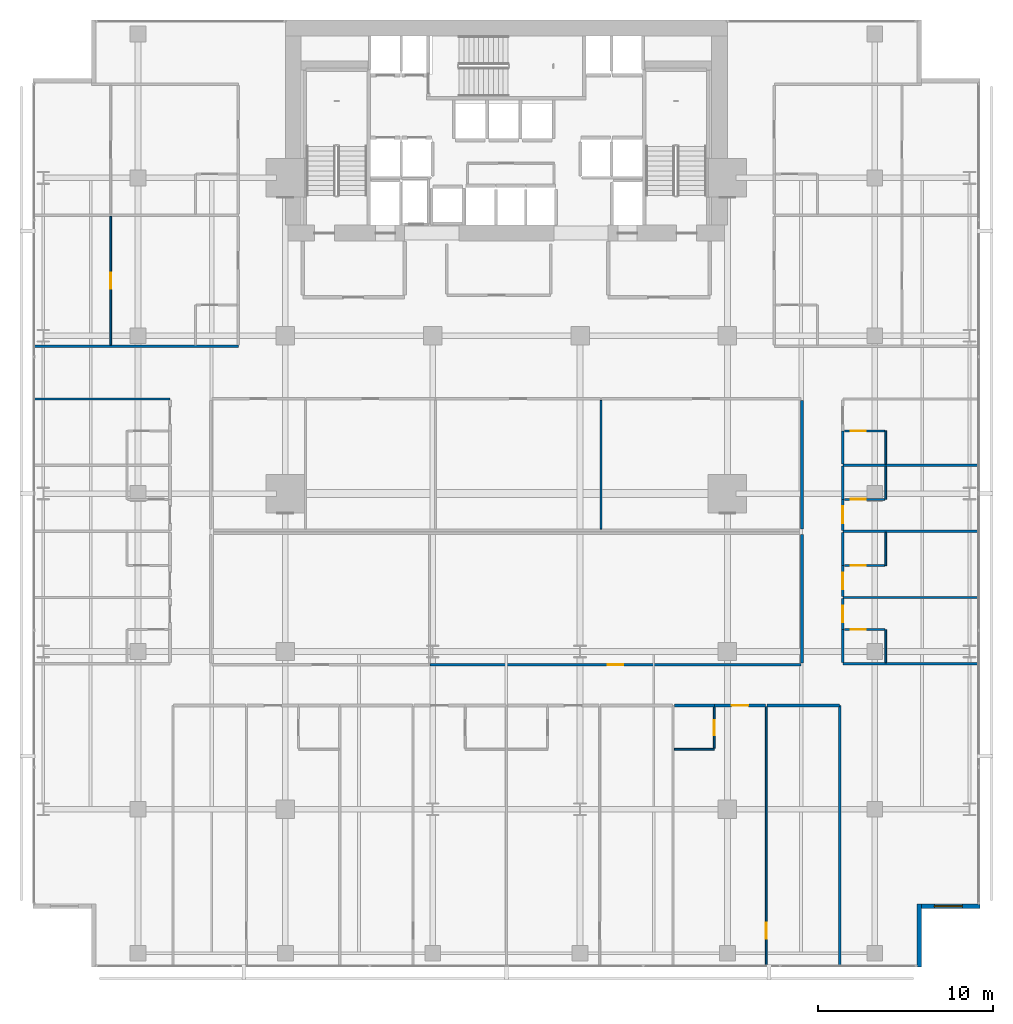
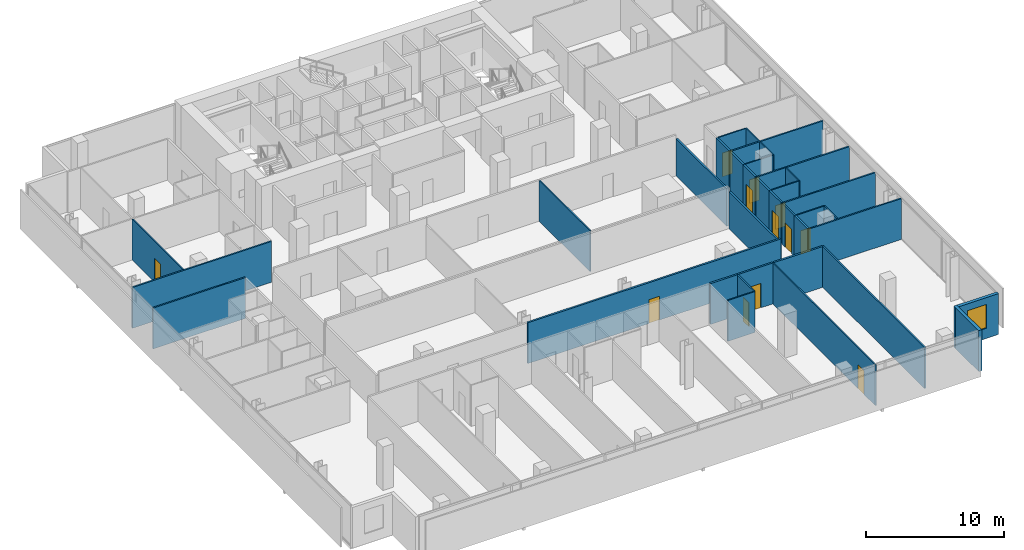
# One storey, part 34 of 40: 35 walls, 12 doors, 1 window, 13 openings.
"""IFC4 building model written with IfcOpenShell, lengths in metres."""

import ifcopenshell
import ifcopenshell.guid

model = None  # the IFC model being written
_history = None  # IfcOwnerHistory: only IFC2X3 demands one
_inside = {}  # id of a spatial element -> (the spatial element, [elements in it])
_under = {}  # id of a project, library or spatial element -> (it, [spatial elements below it])
_declared = {}  # id of a project -> (the project, [libraries it declares])
_typed = {}  # id of a type object -> (the type object, [elements of that type])
_made_of = {}  # id of a material, layer set ... -> (it, [elements and type objects made of it])


def new_model(schema):
    """Start an empty IFC model of exactly this schema.

    Asked for "IFC4X3", IfcOpenShell would pick the latest addendum, in which some entities
    have other attributes; the version numbers below select the first issue.
    IFC2X3 requires an IfcOwnerHistory on every rooted entity: one is made here for all.
    """
    global model, _history
    if schema == "IFC4X3":
        model = ifcopenshell.file(schema_version=(4, 3, 0, 0))
    else:
        model = ifcopenshell.file(schema=schema)
    _inside.clear()
    _under.clear()
    _declared.clear()
    _typed.clear()
    _made_of.clear()
    _history = None
    if model.schema == "IFC2X3":
        org = make("IfcOrganization", Name="unknown")
        user = make(
            "IfcPersonAndOrganization",
            ThePerson=make("IfcPerson", FamilyName="unknown"),
            TheOrganization=org,
        )
        app = make(
            "IfcApplication",
            ApplicationDeveloper=org,
            Version="unknown",
            ApplicationFullName="unknown",
            ApplicationIdentifier="unknown",
        )
        _history = make(
            "IfcOwnerHistory",
            OwningUser=user,
            OwningApplication=app,
            ChangeAction="ADDED",
            CreationDate=0,
        )
    return model


def make(cls, **values):
    """One entity of the class cls with the attributes given. An attribute that is None is left unset."""
    return model.create_entity(
        cls, **{name: value for name, value in values.items() if value is not None}
    )


def rooted(cls, **values):
    """An entity with a GlobalId (a new one), such as an element, a storey or a relation."""
    return make(cls, GlobalId=ifcopenshell.guid.new(), OwnerHistory=_history, **values)


def si_unit(unit_type, name, prefix=None):
    """IfcSIUnit, for example si_unit("LENGTHUNIT", "METRE", prefix="MILLI")."""
    return make("IfcSIUnit", UnitType=unit_type, Prefix=prefix, Name=name)


def assignment(units):
    """IfcUnitAssignment: the units of a project."""
    return None if units is None else make("IfcUnitAssignment", Units=units)


def point(xyz):
    """IfcCartesianPoint."""
    return None if xyz is None else make("IfcCartesianPoint", Coordinates=xyz)


def direction(xyz):
    """IfcDirection."""
    return None if xyz is None else make("IfcDirection", DirectionRatios=xyz)


def frame(location, z_axis=None, x_axis=None):
    """IfcAxis2Placement3D, a coordinate frame: its origin and axes. An axis left out is left unset."""
    return make(
        "IfcAxis2Placement3D",
        Location=point(location),
        Axis=direction(z_axis),
        RefDirection=direction(x_axis),
    )


def frame_2d(location, x_axis=None):
    """IfcAxis2Placement2D, a coordinate frame in the plane: its origin and x axis."""
    return make(
        "IfcAxis2Placement2D", Location=point(location), RefDirection=direction(x_axis)
    )


def origin():
    """The frame at (0, 0, 0) with its axes left unset."""
    return frame((0.0, 0.0, 0.0))


def place(relative_to, where):
    """IfcLocalPlacement: puts the frame where relative to a parent placement (None: the world)."""
    return make(
        "IfcLocalPlacement", PlacementRelTo=relative_to, RelativePlacement=where
    )


def context(
    kind, dimensions, precision=None, world=None, true_north=None, identifier=None
):
    """IfcGeometricRepresentationContext, for example the 3D "Model" context."""
    return make(
        "IfcGeometricRepresentationContext",
        ContextIdentifier=identifier,
        ContextType=kind,
        CoordinateSpaceDimension=dimensions,
        Precision=precision,
        WorldCoordinateSystem=world,
        TrueNorth=true_north,
    )


def subcontext(parent, identifier, kind, view, scale=None):
    """IfcGeometricRepresentationSubContext, for example "Body" below "Model"."""
    return make(
        "IfcGeometricRepresentationSubContext",
        ContextIdentifier=identifier,
        ContextType=kind,
        ParentContext=parent,
        TargetScale=scale,
        TargetView=view,
    )


def project(units=None, contexts=None):
    """IfcProject with its units and contexts."""
    return rooted(
        "IfcProject",
        Name="project",
        RepresentationContexts=contexts,
        UnitsInContext=assignment(units),
    )


def spatial(cls, under=None, at=None, **own):
    """A site, building, storey or space (cls), placed at a placement, below another one or the project."""
    s = rooted(cls, ObjectPlacement=at, **own)
    if under is not None:
        _under.setdefault(under.id(), (under, []))[1].append(s)
    return s


def profile(cls, at=None, kind="AREA", **sizes):
    """A parametric profile (cls). Its sizes go by their IFC names, for example OverallWidth=200.0."""
    return make(cls, ProfileType=kind, Position=at, **sizes)


def rectangle(**sizes):
    """IfcRectangleProfileDef."""
    return profile("IfcRectangleProfileDef", **sizes)


def extrude(swept, where, along, depth):
    """IfcExtrudedAreaSolid: the profile swept, set in the frame where, extruded along a direction by depth."""
    return make(
        "IfcExtrudedAreaSolid",
        SweptArea=swept,
        Position=where,
        ExtrudedDirection=direction(along),
        Depth=depth,
    )


def shape(context_of_items, identifier, shape_type, items):
    """IfcShapeRepresentation: the items that make up one representation, for example the "Body"."""
    return make(
        "IfcShapeRepresentation",
        ContextOfItems=context_of_items,
        RepresentationIdentifier=identifier,
        RepresentationType=shape_type,
        Items=items,
    )


def material(Name=None, Category=None):
    """IfcMaterial."""
    return make("IfcMaterial", Name=Name, Category=Category)


def layer(
    of_material, thickness, ventilated=None, Name=None, Category=None, Priority=None
):
    """IfcMaterialLayer: one layer of a wall or slab, of a material (None: an air gap)."""
    return make(
        "IfcMaterialLayer",
        Material=of_material,
        LayerThickness=thickness,
        IsVentilated=ventilated,
        Name=Name,
        Category=Category,
        Priority=Priority,
    )


def layer_set(layers, Name=None):
    """IfcMaterialLayerSet."""
    return make("IfcMaterialLayerSet", MaterialLayers=layers, LayerSetName=Name)


def made_of(thing, what):
    """Note that an element or type object is made of a material, layer set ...; save() writes the relation."""
    if what is not None:
        _made_of.setdefault(what.id(), (what, []))[1].append(thing)
    return thing


def type_object(cls, material=None, **own):
    """A type object (cls), such as IfcWallType, which elements share."""
    return made_of(rooted(cls, **own), material)


def element(
    cls,
    number,
    at=None,
    inside=None,
    cuts=None,
    type_object=None,
    material=None,
    context=None,
    identifier="Body",
    shape_type=None,
    held_by="IfcProductDefinitionShape",
    body=None,
    shapes=None,
    **own,
):
    """One element of the class cls, such as IfcWall. Its Tag is "e" and its number.

    at: its placement. inside: the storey or other place that contains it. cuts: it is an
    opening in that element (IfcRelVoidsElement). A single representation is given by context,
    identifier, shape_type and body (its items); several are given by shapes. held_by: the class
    of the entity that holds the representations. save() writes the other relations.
    """
    e = rooted(cls, Tag="e%d" % number, ObjectPlacement=at, **own)
    if body is not None:
        shapes = [shape(context, identifier, shape_type, body)]
    if shapes is not None:
        e.Representation = make(held_by, Representations=shapes)
    if inside is not None:
        _inside.setdefault(inside.id(), (inside, []))[1].append(e)
    if cuts is not None:
        rooted(
            "IfcRelVoidsElement", RelatingBuildingElement=cuts, RelatedOpeningElement=e
        )
    if type_object is not None:
        _typed.setdefault(type_object.id(), (type_object, []))[1].append(e)
    return made_of(e, material)


def fill(opening, filler):
    """IfcRelFillsElement: the door or window that sits in an opening."""
    return rooted(
        "IfcRelFillsElement",
        RelatingOpeningElement=opening,
        RelatedBuildingElement=filler,
    )


def aggregate(whole, parts):
    """IfcRelAggregates: a whole, such as a stair, and the parts it consists of."""
    return rooted("IfcRelAggregates", RelatingObject=whole, RelatedObjects=parts)


def save(model, path):
    """Write the relations noted so far, then the file.

    IfcRelAggregates (storeys below a building ...), IfcRelContainedInSpatialStructure (elements
    in a storey), IfcRelDefinesByType, IfcRelAssociatesMaterial and IfcRelDeclares: one each for
    every whole, place, type object, material and project.
    """
    for whole, parts in _under.values():
        aggregate(whole, parts)
    for where, things in _inside.values():
        rooted(
            "IfcRelContainedInSpatialStructure",
            RelatedElements=things,
            RelatingStructure=where,
        )
    for kind, things in _typed.values():
        rooted("IfcRelDefinesByType", RelatedObjects=things, RelatingType=kind)
    for what, things in _made_of.values():
        rooted("IfcRelAssociatesMaterial", RelatedObjects=things, RelatingMaterial=what)
    for by, libraries in _declared.values():
        rooted("IfcRelDeclares", RelatingContext=by, RelatedDefinitions=libraries)
    model.write(path)


model = new_model("IFC4")

# Units and contexts
model_context = context("Model", 3, precision=1e-05, world=origin(), true_north=direction((0.0, 1.0)))
body_context = subcontext(model_context, "Body", "Model", "MODEL_VIEW")
ifc_project = project(units=[si_unit("LENGTHUNIT", "METRE"), si_unit("AREAUNIT", "SQUARE_METRE"), si_unit("VOLUMEUNIT", "CUBIC_METRE"), si_unit("PLANEANGLEUNIT", "RADIAN"), si_unit("MASSUNIT", "GRAM", prefix="KILO")], contexts=[model_context])

# Site, building, storey
site_placement = place(None, origin())
site = spatial("IfcSite", under=ifc_project, at=site_placement, CompositionType="ELEMENT")
building_placement = place(site_placement, origin())
building = spatial("IfcBuilding", under=site, at=building_placement, Name="Maruvema Waterfront Hotel and Observation Tower", CompositionType="ELEMENT")
storey_placement = place(building_placement, frame((0.0, 0.0, 100.10009765625)))
storey = spatial("IfcBuildingStorey", under=building, at=storey_placement, Name="L24", CompositionType="ELEMENT", Elevation=100.10009765625)

# Walls
ifc_material_1 = material(Name="Twin-stud acoustic gypsum drywall", Category="gypsum")
ifc_layer_1 = layer(ifc_material_1, 0.14990234375, Name="Acoustic Corridor and Suite Demising Wall 150 mm")
ifc_layer_set_1 = layer_set([ifc_layer_1], Name="Twin-stud acoustic gypsum drywall")
wall_type_1 = type_object("IfcWallType", Name="Acoustic Corridor and Suite Demising Wall 150 mm", PredefinedType="PARTITIONING", material=ifc_layer_set_1)
wall_1_placement = place(storey_placement, frame((54.64990234375, 24.97998046875, 0.0), z_axis=(0.0, 0.0, 1.0), x_axis=(0.0, 1.0, 0.0)))
element("IfcWall", 1, at=wall_1_placement, inside=storey, type_object=wall_type_1, Name="L24 L24-INTN East Wall 018", PredefinedType="PARTITIONING", context=body_context, shape_type="SweptSolid", body=[
    extrude(rectangle(XDim=7.340087890625, YDim=0.14990234375, at=frame_2d((3.669921875, 0.0))), origin(), (0.0, 0.0, 1.0), 3.29296875),
])
wall_2_placement = place(storey_placement, frame((54.64990234375, 17.330078125, 0.0), z_axis=(0.0, 0.0, 1.0), x_axis=(0.0, 1.0, 0.0)))
element("IfcWall", 2, at=wall_2_placement, inside=storey, type_object=wall_type_1, Name="L24 L24-INTS East Wall 028", PredefinedType="PARTITIONING", context=body_context, shape_type="SweptSolid", body=[
    extrude(rectangle(XDim=7.329833984375, YDim=0.14990234375, at=frame_2d((3.6650390625, 0.0))), origin(), (0.0, 0.0, 1.0), 3.2548828125),
])

# Wall, opening, door
wall_3_placement = place(storey_placement, frame((33.448974609375, 17.25, 0.0), z_axis=(0.0, 0.0, 1.0), x_axis=(1.0, 0.0, 0.0)))
wall_3 = element("IfcWall", 3, at=wall_3_placement, inside=storey, type_object=wall_type_1, Name="L24 L24-INTS Front 2 031", PredefinedType="PARTITIONING", context=body_context, shape_type="SweptSolid", body=[
    extrude(rectangle(XDim=21.14111328125, YDim=0.14990234375, at=frame_2d((10.570556640625, 0.0))), origin(), (0.0, 0.0, 1.0), 3.60986328125),
])
opening_1_placement = place(wall_3_placement, frame((10.12060546875, 0.0, 0.0)))
opening_1 = element("IfcOpeningElement", 4, at=opening_1_placement, cuts=wall_3, Name="Opening DR-090", PredefinedType="OPENING", context=body_context, shape_type="SweptSolid", body=[
    extrude(rectangle(XDim=0.89990234375, YDim=2.10009765625, at=frame_2d((0.449951171875, 1.050048828125))), frame((0.0, 0.0849609375, 0.0), z_axis=(0.0, -1.0, 0.0), x_axis=(1.0, 0.0, 0.0)), (0.0, 0.0, 1.0), 0.169921875),
])
ifc_material_2 = material(Name="Solid-core lacquered timber leaf", Category="wood")
door_type_1 = type_object("IfcDoorType", Name="Accessible Toilet and Room Door 900x2100 mm", OperationType="NOTDEFINED", PredefinedType="DOOR", material=ifc_material_2)
door_1_placement = place(opening_1_placement, frame((0.89990234375, 0.0, 0.0), z_axis=(0.0, 0.0, 1.0), x_axis=(-1.0, 0.0, 0.0)))
door_1 = element("IfcDoor", 5, at=door_1_placement, inside=storey, type_object=door_type_1, Name="L24 Housekeeping Linen Room Door", OperationType="SINGLE_SWING_LEFT", OverallHeight=2.10009765625, OverallWidth=0.89990234375, PredefinedType="DOOR", context=body_context, shape_type="SweptSolid", body=[
    extrude(rectangle(XDim=0.89990234375, YDim=2.10009765625, at=frame_2d((0.449951171875, 1.050048828125))), frame((0.0, 0.02490234375, 0.0), z_axis=(0.0, -1.0, 0.0), x_axis=(1.0, 0.0, 0.0)), (0.0, 0.0, 1.0), 0.050048828125),
])
fill(opening_1, door_1)

# Wall
wall_4_placement = place(storey_placement, frame((47.3798828125, 14.919921875, 0.0), z_axis=(0.0, 0.0, 1.0), x_axis=(1.0, 0.0, 0.0)))
element("IfcWall", 6, at=wall_4_placement, inside=storey, type_object=wall_type_1, Name="L24 Bath L24-S4 Back Wall 055", PredefinedType="PARTITIONING", context=body_context, shape_type="SweptSolid", body=[
    extrude(rectangle(XDim=2.27001953125, YDim=0.14990234375, at=frame_2d((1.135009765625, 0.0))), origin(), (0.0, 0.0, 1.0), 3.60986328125),
])

# Wall, opening, door
wall_5_placement = place(storey_placement, frame((49.64990234375, 14.919921875, 0.0), z_axis=(0.0, 0.0, 1.0), x_axis=(1.0, 0.0, 0.0)))
wall_5 = element("IfcWall", 7, at=wall_5_placement, inside=storey, type_object=wall_type_1, Name="L24 Unit L24-S4 Corridor Wall 058", PredefinedType="PARTITIONING", context=body_context, shape_type="SweptSolid", body=[
    extrude(rectangle(XDim=2.93017578125, YDim=0.14990234375, at=frame_2d((1.465087890625, 0.0))), origin(), (0.0, 0.0, 1.0), 3.60986328125),
])
opening_2_placement = place(wall_5_placement, frame((0.989990234375, 0.0, 0.0)))
opening_2 = element("IfcOpeningElement", 8, at=opening_2_placement, cuts=wall_5, Name="Opening DR-095", PredefinedType="OPENING", context=body_context, shape_type="SweptSolid", body=[
    extrude(rectangle(XDim=0.949951171875, YDim=2.14990234375, at=frame_2d((0.47509765625, 1.074951171875))), frame((0.0, 0.0849609375, 0.0), z_axis=(0.0, -1.0, 0.0), x_axis=(1.0, 0.0, 0.0)), (0.0, 0.0, 1.0), 0.169921875),
])
ifc_material_3 = material(Name="Acoustic solid-core hardwood timber leaf", Category="wood")
door_type_2 = type_object("IfcDoorType", Name="Guestroom Entrance Fire Door 950x2150 mm", OperationType="NOTDEFINED", PredefinedType="DOOR", material=ifc_material_3)
door_2_placement = place(opening_2_placement, frame((0.949951171875, 0.0, 0.0), z_axis=(0.0, 0.0, 1.0), x_axis=(-1.0, 0.0, 0.0)))
door_2 = element("IfcDoor", 9, at=door_2_placement, inside=storey, type_object=door_type_2, Name="L24 Unit L24-S4 Entrance Door", OperationType="SINGLE_SWING_RIGHT", OverallHeight=2.14990234375, OverallWidth=0.949951171875, PredefinedType="DOOR", context=body_context, shape_type="SweptSolid", body=[
    extrude(rectangle(XDim=0.949951171875, YDim=2.14990234375, at=frame_2d((0.47509765625, 1.074951171875))), frame((0.0, 0.02490234375, 0.0), z_axis=(0.0, -1.0, 0.0), x_axis=(1.0, 0.0, 0.0)), (0.0, 0.0, 1.0), 0.050048828125),
])
fill(opening_2, door_2)

# Walls
wall_6_placement = place(storey_placement, frame((52.659912109375, 14.919921875, 0.0), z_axis=(0.0, 0.0, 1.0), x_axis=(1.0, 0.0, 0.0)))
element("IfcWall", 10, at=wall_6_placement, inside=storey, type_object=wall_type_1, Name="L24 Bedroom L24-S4 Back Wall 059", PredefinedType="PARTITIONING", context=body_context, shape_type="SweptSolid", body=[
    extrude(rectangle(XDim=4.1201171875, YDim=0.14990234375, at=frame_2d((2.06005859375, 0.0))), origin(), (0.0, 0.0, 1.0), 3.60986328125),
])
wall_7_placement = place(storey_placement, frame((56.97998046875, 17.360107421875, 0.0), z_axis=(0.0, 0.0, 1.0), x_axis=(0.0, 1.0, 0.0)))
element("IfcWall", 11, at=wall_7_placement, inside=storey, type_object=wall_type_1, Name="L24 Bath L24-E1 Wall 069", PredefinedType="PARTITIONING", context=body_context, shape_type="SweptSolid", body=[
    extrude(rectangle(XDim=1.889892578125, YDim=0.14990234375, at=frame_2d((0.94482421875, 0.0))), origin(), (0.0, 0.0, 1.0), 3.60986328125),
])

# Wall, opening, door
wall_8_placement = place(storey_placement, frame((56.97998046875, 19.25, 0.0), z_axis=(0.0, 0.0, 1.0), x_axis=(0.0, 1.0, 0.0)))
wall_8 = element("IfcWall", 12, at=wall_8_placement, inside=storey, type_object=wall_type_1, Name="L24 Room L24-E1 Corridor Wall 070", PredefinedType="PARTITIONING", context=body_context, shape_type="SweptSolid", body=[
    extrude(rectangle(XDim=1.760009765625, YDim=0.14990234375, at=frame_2d((0.8798828125, 0.0))), origin(), (0.0, 0.0, 1.0), 3.60986328125),
])
opening_3_placement = place(wall_8_placement, frame((0.405029296875, 0.0, 0.0)))
opening_3 = element("IfcOpeningElement", 13, at=opening_3_placement, cuts=wall_8, Name="Opening DR-095", PredefinedType="OPENING", context=body_context, shape_type="SweptSolid", body=[
    extrude(rectangle(XDim=0.949951171875, YDim=2.14990234375, at=frame_2d((0.47509765625, 1.074951171875))), frame((0.0, 0.0849609375, 0.0), z_axis=(0.0, -1.0, 0.0), x_axis=(1.0, 0.0, 0.0)), (0.0, 0.0, 1.0), 0.169921875),
])
door_3_placement = place(opening_3_placement, frame((0.949951171875, 0.0, 0.0), z_axis=(0.0, 0.0, 1.0), x_axis=(-1.0, 0.0, 0.0)))
door_3 = element("IfcDoor", 14, at=door_3_placement, inside=storey, type_object=door_type_2, Name="L24 Room L24-E1 Entrance Door", OperationType="SINGLE_SWING_LEFT", OverallHeight=2.14990234375, OverallWidth=0.949951171875, PredefinedType="DOOR", context=body_context, shape_type="SweptSolid", body=[
    extrude(rectangle(XDim=0.949951171875, YDim=2.14990234375, at=frame_2d((0.47509765625, 1.074951171875))), frame((0.0, 0.02490234375, 0.0), z_axis=(0.0, -1.0, 0.0), x_axis=(1.0, 0.0, 0.0)), (0.0, 0.0, 1.0), 0.050048828125),
])
fill(opening_3, door_3)

wall_9_placement = place(storey_placement, frame((56.97998046875, 21.1298828125, 0.0), z_axis=(0.0, 0.0, 1.0), x_axis=(0.0, 1.0, 0.0)))
wall_9 = element("IfcWall", 15, at=wall_9_placement, inside=storey, type_object=wall_type_1, Name="L24 Room L24-E2 Corridor Wall 079", PredefinedType="PARTITIONING", context=body_context, shape_type="SweptSolid", body=[
    extrude(rectangle(XDim=1.77001953125, YDim=0.14990234375, at=frame_2d((0.885009765625, 0.0))), origin(), (0.0, 0.0, 1.0), 3.60986328125),
])
opening_4_placement = place(wall_9_placement, frame((0.409912109375, 0.0, 0.0)))
opening_4 = element("IfcOpeningElement", 16, at=opening_4_placement, cuts=wall_9, Name="Opening DR-095", PredefinedType="OPENING", context=body_context, shape_type="SweptSolid", body=[
    extrude(rectangle(XDim=0.949951171875, YDim=2.14990234375, at=frame_2d((0.47509765625, 1.074951171875))), frame((0.0, 0.0849609375, 0.0), z_axis=(0.0, -1.0, 0.0), x_axis=(1.0, 0.0, 0.0)), (0.0, 0.0, 1.0), 0.169921875),
])
door_4_placement = place(opening_4_placement, frame((0.949951171875, 0.0, 0.0), z_axis=(0.0, 0.0, 1.0), x_axis=(-1.0, 0.0, 0.0)))
door_4 = element("IfcDoor", 17, at=door_4_placement, inside=storey, type_object=door_type_2, Name="L24 Room L24-E2 Entrance Door", OperationType="SINGLE_SWING_LEFT", OverallHeight=2.14990234375, OverallWidth=0.949951171875, PredefinedType="DOOR", context=body_context, shape_type="SweptSolid", body=[
    extrude(rectangle(XDim=0.949951171875, YDim=2.14990234375, at=frame_2d((0.47509765625, 1.074951171875))), frame((0.0, 0.02490234375, 0.0), z_axis=(0.0, -1.0, 0.0), x_axis=(1.0, 0.0, 0.0)), (0.0, 0.0, 1.0), 0.050048828125),
])
fill(opening_4, door_4)

# Wall
wall_10_placement = place(storey_placement, frame((56.97998046875, 22.89990234375, 0.0), z_axis=(0.0, 0.0, 1.0), x_axis=(0.0, 1.0, 0.0)))
element("IfcWall", 18, at=wall_10_placement, inside=storey, type_object=wall_type_1, Name="L24 Bath L24-E2 Wall 080", PredefinedType="PARTITIONING", context=body_context, shape_type="SweptSolid", body=[
    extrude(rectangle(XDim=1.89013671875, YDim=0.14990234375, at=frame_2d((0.945068359375, 0.0))), origin(), (0.0, 0.0, 1.0), 3.60986328125),
])

# Wall, opening, door
wall_11_placement = place(storey_placement, frame((56.97998046875, 24.909912109375, 0.0), z_axis=(0.0, 0.0, 1.0), x_axis=(0.0, 1.0, 0.0)))
wall_11 = element("IfcWall", 19, at=wall_11_placement, inside=storey, type_object=wall_type_1, Name="L24 Room L24-E3 Corridor Wall 089", PredefinedType="PARTITIONING", context=body_context, shape_type="SweptSolid", body=[
    extrude(rectangle(XDim=1.760009765625, YDim=0.14990234375, at=frame_2d((0.8798828125, 0.0))), origin(), (0.0, 0.0, 1.0), 3.60986328125),
])
opening_5_placement = place(wall_11_placement, frame((0.405029296875, 0.0, 0.0)))
opening_5 = element("IfcOpeningElement", 20, at=opening_5_placement, cuts=wall_11, Name="Opening DR-095", PredefinedType="OPENING", context=body_context, shape_type="SweptSolid", body=[
    extrude(rectangle(XDim=0.949951171875, YDim=2.14990234375, at=frame_2d((0.47509765625, 1.074951171875))), frame((0.0, 0.0849609375, 0.0), z_axis=(0.0, -1.0, 0.0), x_axis=(1.0, 0.0, 0.0)), (0.0, 0.0, 1.0), 0.169921875),
])
door_5_placement = place(opening_5_placement, frame((0.949951171875, 0.0, 0.0), z_axis=(0.0, 0.0, 1.0), x_axis=(-1.0, 0.0, 0.0)))
door_5 = element("IfcDoor", 21, at=door_5_placement, inside=storey, type_object=door_type_2, Name="L24 Room L24-E3 Entrance Door", OperationType="SINGLE_SWING_LEFT", OverallHeight=2.14990234375, OverallWidth=0.949951171875, PredefinedType="DOOR", context=body_context, shape_type="SweptSolid", body=[
    extrude(rectangle(XDim=0.949951171875, YDim=2.14990234375, at=frame_2d((0.47509765625, 1.074951171875))), frame((0.0, 0.02490234375, 0.0), z_axis=(0.0, -1.0, 0.0), x_axis=(1.0, 0.0, 0.0)), (0.0, 0.0, 1.0), 0.050048828125),
])
fill(opening_5, door_5)

# Walls
for number, where, z_axis, x_axis, name in (
    (22, (56.97998046875, 26.669921875, 0.0), (0.0, 0.0, 1.0), (0.0, 1.0, 0.0), "L24 Bath L24-E3 Wall 090"),
    (23, (56.97998046875, 28.679931640625, 0.0), (0.0, 0.0, 1.0), (0.0, 1.0, 0.0), "L24 Bath L24-E4 Wall 099"),
):
    element("IfcWall", number, at=place(storey_placement, frame(where, z_axis=z_axis, x_axis=x_axis)), inside=storey, type_object=wall_type_1, Name=name, PredefinedType="PARTITIONING", context=body_context, shape_type="SweptSolid", body=[
        extrude(rectangle(XDim=1.89013671875, YDim=0.14990234375, at=frame_2d((0.945068359375, 0.0))), origin(), (0.0, 0.0, 1.0), 3.60986328125),
    ])
ifc_material_4 = material(Name="Moisture-resistant cement-board drywall", Category="gypsum")
ifc_layer_2 = layer(ifc_material_4, 0.10009765625, Name="En-Suite Moisture-Resistant Partition 100 mm")
ifc_layer_set_2 = layer_set([ifc_layer_2], Name="Moisture-resistant cement-board drywall")
wall_type_2 = type_object("IfcWallType", Name="En-Suite Moisture-Resistant Partition 100 mm", PredefinedType="PARTITIONING", material=ifc_layer_set_2)
wall_12_placement = place(storey_placement, frame((43.19189453125, 24.97998046875, 0.0), z_axis=(0.0, 0.0, 1.0), x_axis=(0.0, 1.0, 0.0)))
element("IfcWall", 24, at=wall_12_placement, inside=storey, type_object=wall_type_2, Name="L24 L24-INTN Split 3 024", PredefinedType="PARTITIONING", context=body_context, shape_type="SweptSolid", body=[
    extrude(rectangle(XDim=7.340087890625, YDim=0.10009765625, at=frame_2d((3.669921875, 0.0))), origin(), (0.0, 0.0, 1.0), 3.60986328125),
])
wall_13_placement = place(storey_placement, frame((47.3798828125, 12.419921875, 0.0), z_axis=(0.0, 0.0, 1.0), x_axis=(1.0, 0.0, 0.0)))
element("IfcWall", 25, at=wall_13_placement, inside=storey, type_object=wall_type_2, Name="L24 En-Suite L24-S4 South 056", PredefinedType="PARTITIONING", context=body_context, shape_type="SweptSolid", body=[
    extrude(rectangle(XDim=2.27001953125, YDim=0.10009765625, at=frame_2d((1.135009765625, 0.0))), origin(), (0.0, 0.0, 1.0), 3.60986328125),
])

# Wall, opening, door
wall_14_placement = place(storey_placement, frame((49.64990234375, 12.47998046875, 0.0), z_axis=(0.0, 0.0, 1.0), x_axis=(0.0, 1.0, 0.0)))
wall_14 = element("IfcWall", 26, at=wall_14_placement, inside=storey, type_object=wall_type_2, Name="L24 En-Suite L24-S4 East 057", PredefinedType="PARTITIONING", context=body_context, shape_type="SweptSolid", body=[
    extrude(rectangle(XDim=2.340087890625, YDim=0.10009765625, at=frame_2d((1.169921875, 0.0))), origin(), (0.0, 0.0, 1.0), 3.60986328125),
])
opening_6_placement = place(wall_14_placement, frame((0.7451171875, 0.0, 0.0)))
opening_6 = element("IfcOpeningElement", 27, at=opening_6_placement, cuts=wall_14, Name="Opening DR-085", PredefinedType="OPENING", context=body_context, shape_type="SweptSolid", body=[
    extrude(rectangle(XDim=0.85009765625, YDim=2.10009765625, at=frame_2d((0.425048828125, 1.050048828125))), frame((0.0, 0.06005859375, 0.0), z_axis=(0.0, -1.0, 0.0), x_axis=(1.0, 0.0, 0.0)), (0.0, 0.0, 1.0), 0.1201171875),
])
ifc_material_5 = material(Name="Moisture-resistant solid timber leaf", Category="wood")
door_type_3 = type_object("IfcDoorType", Name="En-Suite Bathroom Door 850x2100 mm", OperationType="NOTDEFINED", PredefinedType="DOOR", material=ifc_material_5)
door_6_placement = place(opening_6_placement, frame((0.85009765625, 0.0, 0.0), z_axis=(0.0, 0.0, 1.0), x_axis=(-1.0, 0.0, 0.0)))
door_6 = element("IfcDoor", 28, at=door_6_placement, inside=storey, type_object=door_type_3, Name="L24 En-Suite L24-S4 Door", OperationType="SINGLE_SWING_LEFT", OverallHeight=2.10009765625, OverallWidth=0.85009765625, PredefinedType="DOOR", context=body_context, shape_type="SweptSolid", body=[
    extrude(rectangle(XDim=0.85009765625, YDim=2.10009765625, at=frame_2d((0.425048828125, 1.050048828125))), frame((0.0, 0.02490234375, 0.0), z_axis=(0.0, -1.0, 0.0), x_axis=(1.0, 0.0, 0.0)), (0.0, 0.0, 1.0), 0.050048828125),
])
fill(opening_6, door_6)

wall_15_placement = place(storey_placement, frame((52.6201171875, 0.030029296875, 0.0), z_axis=(0.0, 0.0, 1.0), x_axis=(0.0, 1.0, 0.0)))
wall_15 = element("IfcWall", 29, at=wall_15_placement, inside=storey, type_object=wall_type_2, Name="L24 Suite L24-S4 Split 060", PredefinedType="PARTITIONING", context=body_context, shape_type="SweptSolid", body=[
    extrude(rectangle(XDim=14.830078125, YDim=0.10009765625, at=frame_2d((7.4150390625, 0.0))), origin(), (0.0, 0.0, 1.0), 3.60986328125),
])
opening_7_placement = place(wall_15_placement, frame((1.60009765625, 0.0, 0.0)))
opening_7 = element("IfcOpeningElement", 30, at=opening_7_placement, cuts=wall_15, Name="Opening DR-090", PredefinedType="OPENING", context=body_context, shape_type="SweptSolid", body=[
    extrude(rectangle(XDim=0.89990234375, YDim=2.10009765625, at=frame_2d((0.449951171875, 1.050048828125))), frame((0.0, 0.06005859375, 0.0), z_axis=(0.0, -1.0, 0.0), x_axis=(1.0, 0.0, 0.0)), (0.0, 0.0, 1.0), 0.1201171875),
])
door_7_placement = place(opening_7_placement, origin())
door_7 = element("IfcDoor", 31, at=door_7_placement, inside=storey, type_object=door_type_1, Name="L24 Suite L24-S4 Bedroom Door", OperationType="SINGLE_SWING_LEFT", OverallHeight=2.10009765625, OverallWidth=0.89990234375, PredefinedType="DOOR", context=body_context, shape_type="SweptSolid", body=[
    extrude(rectangle(XDim=0.89990234375, YDim=2.10009765625, at=frame_2d((0.449951171875, 1.050048828125))), frame((0.0, 0.02490234375, 0.0), z_axis=(0.0, -1.0, 0.0), x_axis=(1.0, 0.0, 0.0)), (0.0, 0.0, 1.0), 0.050048828125),
])
fill(opening_7, door_7)

# Wall
wall_16_placement = place(storey_placement, frame((59.429931640625, 17.360107421875, 0.0), z_axis=(0.0, 0.0, 1.0), x_axis=(0.0, 1.0, 0.0)))
element("IfcWall", 32, at=wall_16_placement, inside=storey, type_object=wall_type_2, Name="L24 En-Suite L24-E1 E 071", PredefinedType="PARTITIONING", context=body_context, shape_type="SweptSolid", body=[
    extrude(rectangle(XDim=1.889892578125, YDim=0.10009765625, at=frame_2d((0.94482421875, 0.0))), origin(), (0.0, 0.0, 1.0), 3.60986328125),
])

# Wall, opening, door
wall_17_placement = place(storey_placement, frame((57.080078125, 19.25, 0.0), z_axis=(0.0, 0.0, 1.0), x_axis=(1.0, 0.0, 0.0)))
wall_17 = element("IfcWall", 33, at=wall_17_placement, inside=storey, type_object=wall_type_2, Name="L24 En-Suite L24-E1 N 072", PredefinedType="PARTITIONING", context=body_context, shape_type="SweptSolid", body=[
    extrude(rectangle(XDim=2.2998046875, YDim=0.10009765625, at=frame_2d((1.14990234375, 0.0))), origin(), (0.0, 0.0, 1.0), 3.60986328125),
])
opening_8_placement = place(wall_17_placement, frame((0.35009765625, 0.0, 0.0)))
opening_8 = element("IfcOpeningElement", 34, at=opening_8_placement, cuts=wall_17, Name="Opening DR-085", PredefinedType="OPENING", context=body_context, shape_type="SweptSolid", body=[
    extrude(rectangle(XDim=0.85009765625, YDim=2.10009765625, at=frame_2d((0.425048828125, 1.050048828125))), frame((0.0, 0.06005859375, 0.0), z_axis=(0.0, -1.0, 0.0), x_axis=(1.0, 0.0, 0.0)), (0.0, 0.0, 1.0), 0.1201171875),
])
door_8_placement = place(opening_8_placement, origin())
door_8 = element("IfcDoor", 35, at=door_8_placement, inside=storey, type_object=door_type_3, Name="L24 En-Suite L24-E1 Door", OperationType="SINGLE_SWING_RIGHT", OverallHeight=2.10009765625, OverallWidth=0.85009765625, PredefinedType="DOOR", context=body_context, shape_type="SweptSolid", body=[
    extrude(rectangle(XDim=0.85009765625, YDim=2.10009765625, at=frame_2d((0.425048828125, 1.050048828125))), frame((0.0, 0.02490234375, 0.0), z_axis=(0.0, -1.0, 0.0), x_axis=(1.0, 0.0, 0.0)), (0.0, 0.0, 1.0), 0.050048828125),
])
fill(opening_8, door_8)

# Wall
wall_18_placement = place(storey_placement, frame((59.429931640625, 22.89990234375, 0.0), z_axis=(0.0, 0.0, 1.0), x_axis=(0.0, 1.0, 0.0)))
element("IfcWall", 36, at=wall_18_placement, inside=storey, type_object=wall_type_2, Name="L24 En-Suite L24-E2 E 081", PredefinedType="PARTITIONING", context=body_context, shape_type="SweptSolid", body=[
    extrude(rectangle(XDim=1.89013671875, YDim=0.10009765625, at=frame_2d((0.945068359375, 0.0))), origin(), (0.0, 0.0, 1.0), 3.60986328125),
])

# Wall, opening, door
wall_19_placement = place(storey_placement, frame((57.080078125, 22.89990234375, 0.0), z_axis=(0.0, 0.0, 1.0), x_axis=(1.0, 0.0, 0.0)))
wall_19 = element("IfcWall", 37, at=wall_19_placement, inside=storey, type_object=wall_type_2, Name="L24 En-Suite L24-E2 S 082", PredefinedType="PARTITIONING", context=body_context, shape_type="SweptSolid", body=[
    extrude(rectangle(XDim=2.2998046875, YDim=0.10009765625, at=frame_2d((1.14990234375, 0.0))), origin(), (0.0, 0.0, 1.0), 3.60986328125),
])
opening_9_placement = place(wall_19_placement, frame((0.35009765625, 0.0, 0.0)))
opening_9 = element("IfcOpeningElement", 38, at=opening_9_placement, cuts=wall_19, Name="Opening DR-085", PredefinedType="OPENING", context=body_context, shape_type="SweptSolid", body=[
    extrude(rectangle(XDim=0.85009765625, YDim=2.10009765625, at=frame_2d((0.425048828125, 1.050048828125))), frame((0.0, 0.06005859375, 0.0), z_axis=(0.0, -1.0, 0.0), x_axis=(1.0, 0.0, 0.0)), (0.0, 0.0, 1.0), 0.1201171875),
])
door_9_placement = place(opening_9_placement, frame((0.85009765625, 0.0, 0.0), z_axis=(0.0, 0.0, 1.0), x_axis=(-1.0, 0.0, 0.0)))
door_9 = element("IfcDoor", 39, at=door_9_placement, inside=storey, type_object=door_type_3, Name="L24 En-Suite L24-E2 Door", OperationType="SINGLE_SWING_RIGHT", OverallHeight=2.10009765625, OverallWidth=0.85009765625, PredefinedType="DOOR", context=body_context, shape_type="SweptSolid", body=[
    extrude(rectangle(XDim=0.85009765625, YDim=2.10009765625, at=frame_2d((0.425048828125, 1.050048828125))), frame((0.0, 0.02490234375, 0.0), z_axis=(0.0, -1.0, 0.0), x_axis=(1.0, 0.0, 0.0)), (0.0, 0.0, 1.0), 0.050048828125),
])
fill(opening_9, door_9)

# Wall
wall_20_placement = place(storey_placement, frame((59.429931640625, 26.669921875, 0.0), z_axis=(0.0, 0.0, 1.0), x_axis=(0.0, 1.0, 0.0)))
element("IfcWall", 40, at=wall_20_placement, inside=storey, type_object=wall_type_2, Name="L24 En-Suite L24-E3 E 091", PredefinedType="PARTITIONING", context=body_context, shape_type="SweptSolid", body=[
    extrude(rectangle(XDim=1.89013671875, YDim=0.10009765625, at=frame_2d((0.945068359375, 0.0))), origin(), (0.0, 0.0, 1.0), 3.60986328125),
])

# Wall, opening, door
wall_21_placement = place(storey_placement, frame((57.080078125, 26.669921875, 0.0), z_axis=(0.0, 0.0, 1.0), x_axis=(1.0, 0.0, 0.0)))
wall_21 = element("IfcWall", 41, at=wall_21_placement, inside=storey, type_object=wall_type_2, Name="L24 En-Suite L24-E3 S 092", PredefinedType="PARTITIONING", context=body_context, shape_type="SweptSolid", body=[
    extrude(rectangle(XDim=2.2998046875, YDim=0.10009765625, at=frame_2d((1.14990234375, 0.0))), origin(), (0.0, 0.0, 1.0), 3.60986328125),
])
opening_10_placement = place(wall_21_placement, frame((0.35009765625, 0.0, 0.0)))
opening_10 = element("IfcOpeningElement", 42, at=opening_10_placement, cuts=wall_21, Name="Opening DR-085", PredefinedType="OPENING", context=body_context, shape_type="SweptSolid", body=[
    extrude(rectangle(XDim=0.85009765625, YDim=2.10009765625, at=frame_2d((0.425048828125, 1.050048828125))), frame((0.0, 0.06005859375, 0.0), z_axis=(0.0, -1.0, 0.0), x_axis=(1.0, 0.0, 0.0)), (0.0, 0.0, 1.0), 0.1201171875),
])
door_10_placement = place(opening_10_placement, frame((0.85009765625, 0.0, 0.0), z_axis=(0.0, 0.0, 1.0), x_axis=(-1.0, 0.0, 0.0)))
door_10 = element("IfcDoor", 43, at=door_10_placement, inside=storey, type_object=door_type_3, Name="L24 En-Suite L24-E3 Door", OperationType="SINGLE_SWING_RIGHT", OverallHeight=2.10009765625, OverallWidth=0.85009765625, PredefinedType="DOOR", context=body_context, shape_type="SweptSolid", body=[
    extrude(rectangle(XDim=0.85009765625, YDim=2.10009765625, at=frame_2d((0.425048828125, 1.050048828125))), frame((0.0, 0.02490234375, 0.0), z_axis=(0.0, -1.0, 0.0), x_axis=(1.0, 0.0, 0.0)), (0.0, 0.0, 1.0), 0.050048828125),
])
fill(opening_10, door_10)

# Wall
wall_22_placement = place(storey_placement, frame((59.429931640625, 28.679931640625, 0.0), z_axis=(0.0, 0.0, 1.0), x_axis=(0.0, 1.0, 0.0)))
element("IfcWall", 44, at=wall_22_placement, inside=storey, type_object=wall_type_2, Name="L24 En-Suite L24-E4 E 101", PredefinedType="PARTITIONING", context=body_context, shape_type="SweptSolid", body=[
    extrude(rectangle(XDim=1.89013671875, YDim=0.10009765625, at=frame_2d((0.945068359375, 0.0))), origin(), (0.0, 0.0, 1.0), 3.60986328125),
])

# Wall, opening, door
wall_23_placement = place(storey_placement, frame((57.080078125, 30.570068359375, 0.0), z_axis=(0.0, 0.0, 1.0), x_axis=(1.0, 0.0, 0.0)))
wall_23 = element("IfcWall", 45, at=wall_23_placement, inside=storey, type_object=wall_type_2, Name="L24 En-Suite L24-E4 N 102", PredefinedType="PARTITIONING", context=body_context, shape_type="SweptSolid", body=[
    extrude(rectangle(XDim=2.2998046875, YDim=0.10009765625, at=frame_2d((1.14990234375, 0.0))), origin(), (0.0, 0.0, 1.0), 3.60986328125),
])
opening_11_placement = place(wall_23_placement, frame((0.35009765625, 0.0, 0.0)))
opening_11 = element("IfcOpeningElement", 46, at=opening_11_placement, cuts=wall_23, Name="Opening DR-085", PredefinedType="OPENING", context=body_context, shape_type="SweptSolid", body=[
    extrude(rectangle(XDim=0.85009765625, YDim=2.10009765625, at=frame_2d((0.425048828125, 1.050048828125))), frame((0.0, 0.06005859375, 0.0), z_axis=(0.0, -1.0, 0.0), x_axis=(1.0, 0.0, 0.0)), (0.0, 0.0, 1.0), 0.1201171875),
])
door_11_placement = place(opening_11_placement, origin())
door_11 = element("IfcDoor", 47, at=door_11_placement, inside=storey, type_object=door_type_3, Name="L24 En-Suite L24-E4 Door", OperationType="SINGLE_SWING_RIGHT", OverallHeight=2.10009765625, OverallWidth=0.85009765625, PredefinedType="DOOR", context=body_context, shape_type="SweptSolid", body=[
    extrude(rectangle(XDim=0.85009765625, YDim=2.10009765625, at=frame_2d((0.425048828125, 1.050048828125))), frame((0.0, 0.02490234375, 0.0), z_axis=(0.0, -1.0, 0.0), x_axis=(1.0, 0.0, 0.0)), (0.0, 0.0, 1.0), 0.050048828125),
])
fill(opening_11, door_11)

wall_24_placement = place(storey_placement, frame((15.24951171875, 35.4599609375, 0.0), z_axis=(0.0, 0.0, 1.0), x_axis=(0.0, 1.0, 0.0)))
wall_24 = element("IfcWall", 48, at=wall_24_placement, inside=storey, type_object=wall_type_2, Name="L24 Suite L24-NW1 Split 111", PredefinedType="PARTITIONING", context=body_context, shape_type="SweptSolid", body=[
    extrude(rectangle(XDim=7.3486328125, YDim=0.10009765625, at=frame_2d((3.67431640625, 0.0))), origin(), (0.0, 0.0, 1.0), 3.60986328125),
])
opening_12_placement = place(wall_24_placement, frame((3.224365234375, 0.0, 0.0)))
opening_12 = element("IfcOpeningElement", 49, at=opening_12_placement, cuts=wall_24, Name="Opening DR-090", PredefinedType="OPENING", context=body_context, shape_type="SweptSolid", body=[
    extrude(rectangle(XDim=0.89990234375, YDim=2.10009765625, at=frame_2d((0.449951171875, 1.050048828125))), frame((0.0, 0.06005859375, 0.0), z_axis=(0.0, -1.0, 0.0), x_axis=(1.0, 0.0, 0.0)), (0.0, 0.0, 1.0), 0.1201171875),
])
door_12_placement = place(opening_12_placement, origin())
door_12 = element("IfcDoor", 50, at=door_12_placement, inside=storey, type_object=door_type_1, Name="L24 Suite L24-NW1 Bedroom Door", OperationType="SINGLE_SWING_RIGHT", OverallHeight=2.10009765625, OverallWidth=0.89990234375, PredefinedType="DOOR", context=body_context, shape_type="SweptSolid", body=[
    extrude(rectangle(XDim=0.89990234375, YDim=2.10009765625, at=frame_2d((0.449951171875, 1.050048828125))), frame((0.0, 0.02490234375, 0.0), z_axis=(0.0, -1.0, 0.0), x_axis=(1.0, 0.0, 0.0)), (0.0, 0.0, 1.0), 0.050048828125),
])
fill(opening_12, door_12)

# Wall
ifc_material_6 = material(Name="Precast concrete C45/55 with honed Pernambuco granite facing", Category="masonry")
ifc_layer_3 = layer(ifc_material_6, 0.260009765625, Name="Exterior Granite Clad Spandrel and Pier Wall 260 mm")
ifc_layer_set_3 = layer_set([ifc_layer_3], Name="Precast concrete C45/55 with honed Pernambuco granite facing")
wall_type_3 = type_object("IfcWallType", Name="Exterior Granite Clad Spandrel and Pier Wall 260 mm", PredefinedType="SOLIDWALL", material=ifc_layer_set_3)
wall_25_placement = place(storey_placement, frame((61.330078125, 3.60009765625, 0.0), z_axis=(0.0, 0.0, 1.0), x_axis=(0.0, -1.0, 0.0)))
element("IfcWall", 51, at=wall_25_placement, inside=storey, type_object=wall_type_3, Name="L24 Corner Notch Granite Pier Wall SE1", PredefinedType="SOLIDWALL", context=body_context, shape_type="SweptSolid", body=[
    extrude(rectangle(XDim=3.60009765625, YDim=0.260009765625, at=frame_2d((1.800048828125, 0.0))), origin(), (0.0, 0.0, 1.0), 3.60986328125),
])

# Wall, opening, window
wall_26_placement = place(storey_placement, frame((64.800048828125, 3.469970703125, 0.0), z_axis=(0.0, 0.0, 1.0), x_axis=(-1.0, 0.0, 0.0)))
wall_26 = element("IfcWall", 52, at=wall_26_placement, inside=storey, type_object=wall_type_3, Name="L24 Corner Notch Granite Pier Wall SE2", PredefinedType="SOLIDWALL", context=body_context, shape_type="SweptSolid", body=[
    extrude(rectangle(XDim=3.60009765625, YDim=0.260009765625, at=frame_2d((1.800048828125, 0.0))), origin(), (0.0, 0.0, 1.0), 3.60986328125),
])
opening_13_placement = place(wall_26_placement, frame((1.0, 0.0, 0.89990234375)))
opening_13 = element("IfcOpeningElement", 53, at=opening_13_placement, cuts=wall_26, Name="Opening WN-01", PredefinedType="OPENING", context=body_context, shape_type="SweptSolid", body=[
    extrude(rectangle(XDim=1.60009765625, YDim=2.10009765625, at=frame_2d((0.800048828125, 1.050048828125))), frame((0.0, 0.14013671875, 0.0), z_axis=(0.0, -1.0, 0.0), x_axis=(1.0, 0.0, 0.0)), (0.0, 0.0, 1.0), 0.280029296875),
])
ifc_material_7 = material(Name="Anodised bronze aluminium frame with laminated low-E glass", Category="aluminium")
window_type = type_object("IfcWindowType", Name="Corner Notch Feature Window 1600x2100 mm", PartitioningType="SINGLE_PANEL", PredefinedType="WINDOW", material=ifc_material_7)
window_placement = place(opening_13_placement, origin())
window = element("IfcWindow", 54, at=window_placement, inside=storey, type_object=window_type, Name="L24 Corner Notch Punched Window SE2", OverallHeight=2.10009765625, OverallWidth=1.60009765625, PartitioningType="SINGLE_PANEL", PredefinedType="WINDOW", context=body_context, shape_type="SweptSolid", body=[
    extrude(rectangle(XDim=1.60009765625, YDim=2.10009765625, at=frame_2d((0.800048828125, 1.050048828125))), frame((0.0, 0.030029296875, 0.0), z_axis=(0.0, -1.0, 0.0), x_axis=(1.0, 0.0, 0.0)), (0.0, 0.0, 1.0), 0.06005859375),
])
fill(opening_13, window)

# Walls
ifc_material_8 = material(Name="Acoustic gypsum plasterboard drywall", Category="gypsum")
ifc_layer_4 = layer(ifc_material_8, 0.125, Name="Guestroom Acoustic Demising Wall 125 mm")
ifc_layer_set_4 = layer_set([ifc_layer_4], Name="Acoustic gypsum plasterboard drywall")
wall_type_4 = type_object("IfcWallType", Name="Guestroom Acoustic Demising Wall 125 mm", PredefinedType="PARTITIONING", material=ifc_layer_set_4)
wall_27_placement = place(storey_placement, frame((56.800048828125, 0.10009765625, 0.0), z_axis=(0.0, 0.0, 1.0), x_axis=(0.0, 1.0, 0.0)))
element("IfcWall", 55, at=wall_27_placement, inside=storey, type_object=wall_type_4, Name="L24 S East End 033", PredefinedType="PARTITIONING", context=body_context, shape_type="SweptSolid", body=[
    extrude(rectangle(XDim=14.81982421875, YDim=0.125, at=frame_2d((7.409912109375, 0.0))), origin(), (0.0, 0.0, 1.0), 3.60986328125),
])
wall_28_placement = place(storey_placement, frame((56.97998046875, 17.300048828125, 0.0), z_axis=(0.0, 0.0, 1.0), x_axis=(1.0, 0.0, 0.0)))
element("IfcWall", 56, at=wall_28_placement, inside=storey, type_object=wall_type_4, Name="L24 E Bot End 062", PredefinedType="PARTITIONING", context=body_context, shape_type="SweptSolid", body=[
    extrude(rectangle(XDim=7.719970703125, YDim=0.125, at=frame_2d((3.85986328125, 0.0))), origin(), (0.0, 0.0, 1.0), 3.60986328125),
])
wall_29_placement = place(storey_placement, frame((10.89990234375, 32.39990234375, 0.0), z_axis=(0.0, 0.0, 1.0), x_axis=(1.0, 0.0, 0.0)))
element("IfcWall", 57, at=wall_29_placement, inside=storey, type_object=wall_type_4, Name="L24 W Top End 063", PredefinedType="PARTITIONING", context=body_context, shape_type="SweptSolid", body=[
    extrude(rectangle(XDim=7.72021484375, YDim=0.125, at=frame_2d((3.860107421875, 0.0))), origin(), (0.0, 0.0, 1.0), 3.60986328125),
])
for number, where, z_axis, x_axis, name in (
    (58, (56.97998046875, 21.070068359375, 0.0), (0.0, 0.0, 1.0), (1.0, 0.0, 0.0), "L24 E Demising 2 074"),
    (59, (56.97998046875, 24.85009765625, 0.0), (0.0, 0.0, 1.0), (1.0, 0.0, 0.0), "L24 E Demising 3 084"),
    (60, (56.97998046875, 28.6201171875, 0.0), (0.0, 0.0, 1.0), (1.0, 0.0, 0.0), "L24 E Demising 4 094"),
):
    element("IfcWall", number, at=place(storey_placement, frame(where, z_axis=z_axis, x_axis=x_axis)), inside=storey, type_object=wall_type_4, Name=name, PredefinedType="PARTITIONING", context=body_context, shape_type="SweptSolid", body=[
        extrude(rectangle(XDim=7.719970703125, YDim=0.125, at=frame_2d((3.85986328125, 0.0))), origin(), (0.0, 0.0, 1.0), 3.60986328125),
    ])
wall_30_placement = place(storey_placement, frame((10.89990234375, 35.39990234375, 0.0), z_axis=(0.0, 0.0, 1.0), x_axis=(1.0, 0.0, 0.0)))
element("IfcWall", 61, at=wall_30_placement, inside=storey, type_object=wall_type_4, Name="L24 NW Bot End 103", PredefinedType="PARTITIONING", context=body_context, shape_type="SweptSolid", body=[
    extrude(rectangle(XDim=11.6201171875, YDim=0.125, at=frame_2d((5.81005859375, 0.0))), origin(), (0.0, 0.0, 1.0), 3.60986328125),
])

save(model, "model.ifc")
